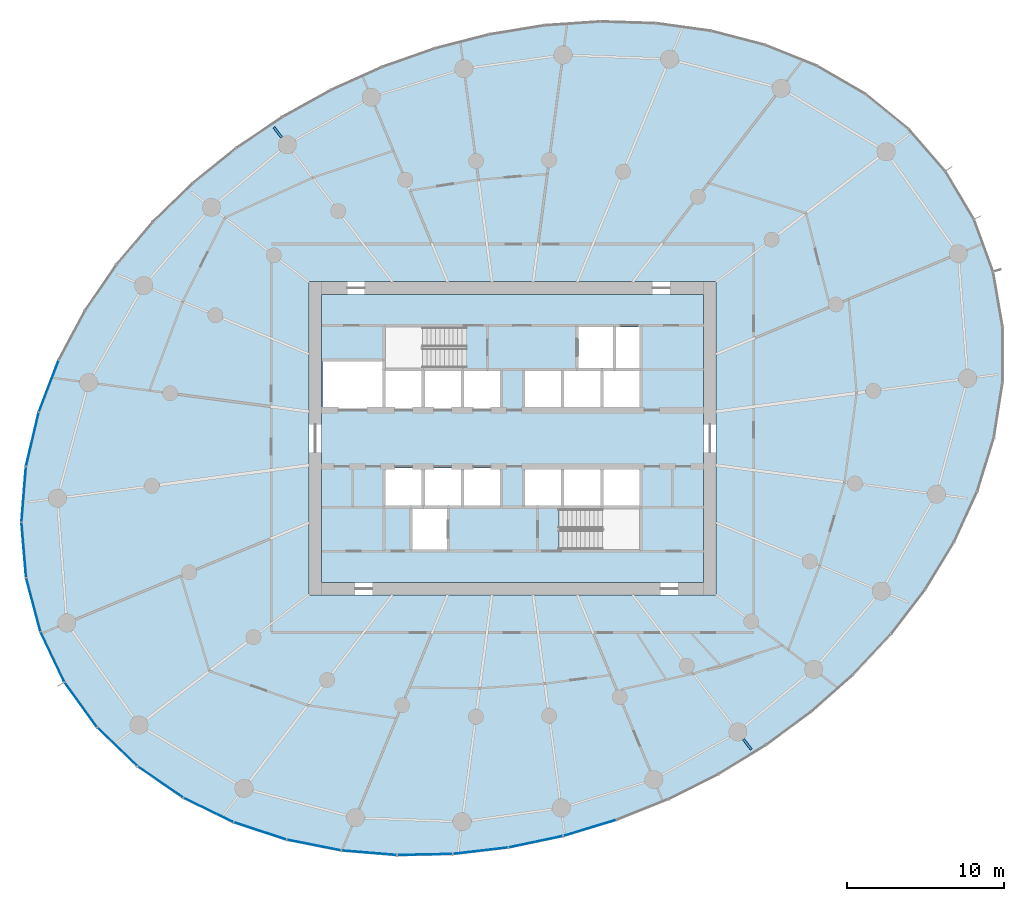
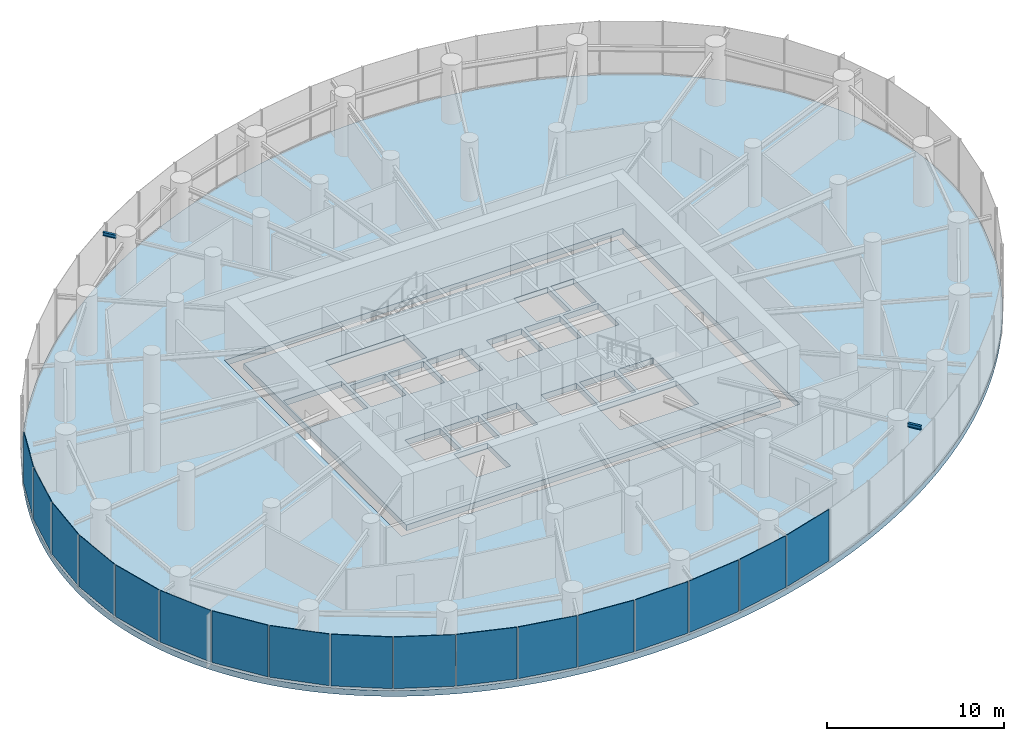
# One storey, part 8 of 17: 17 plates, 2 beams, 2 slabs, 4 elements without a shape of their own.
"""IFC4 building model written with IfcOpenShell, lengths in metres."""

from ifc_helpers import new_model, si_unit, direction, frame, origin, origin_2d, place, context, subcontext, project, spatial, line, indexed_curve, rectangle, i_section, outline, extrude, source, transform, mapped, material, layer, layer_set, material_profile, profile_set, type_object, element, aggregate, save


model = new_model("IFC4")

# Units and contexts
model_context = context("Model", 3, precision=1e-05, world=origin(), true_north=direction((0.0, 1.0)))
body_context = subcontext(model_context, "Body", "Model", "MODEL_VIEW")
ifc_project = project(units=[si_unit("LENGTHUNIT", "METRE"), si_unit("AREAUNIT", "SQUARE_METRE"), si_unit("VOLUMEUNIT", "CUBIC_METRE"), si_unit("PLANEANGLEUNIT", "RADIAN"), si_unit("MASSUNIT", "GRAM", prefix="KILO")], contexts=[model_context])

# Site, building, storey
site_placement = place(None, origin())
site = spatial("IfcSite", under=ifc_project, at=site_placement, CompositionType="ELEMENT")
building_placement = place(site_placement, origin())
building = spatial("IfcBuilding", under=site, at=building_placement, Name="Spindrift Exchange Tower", CompositionType="ELEMENT")
storey_placement = place(building_placement, frame((0.0, 0.0, 96.199951171875)))
storey = spatial("IfcBuildingStorey", under=building, at=storey_placement, Name="L22", CompositionType="ELEMENT", Elevation=96.199951171875)

# Beams
ifc_material_1 = material(Name="Steel Grade 300", Category="steel")
ifc_material_profile = material_profile(ifc_material_1, i_section(OverallWidth=0.14599609375, OverallDepth=0.251953125, WebThickness=0.006103515625, FlangeThickness=0.008544921875, FilletRadius=0.011962890625, at=origin_2d()), Name="250UB31.4")
ifc_profile_set = profile_set([ifc_material_profile], Name="Steel Grade 300")
beam_type = type_object("IfcBeamType", Name="Cantilever Beam 250UB31.4 Steel Grade 300", PredefinedType="BEAM", material=ifc_profile_set)
shared_shape_1 = source(origin(), body_context, "Body", "SweptSolid", [
    extrude(i_section(OverallWidth=0.14599609375, OverallDepth=0.251953125, WebThickness=0.006103515625, FlangeThickness=0.008544921875, FilletRadius=0.011962890625, at=origin_2d()), origin(), (0.0, 0.0, 1.0), 0.82177734375),
])
for number, where, z_axis, x_axis, name in (
    (1, (37.264892578125, 67.203125, 3.573974609375), (-0.608805739137, 0.793319337968, 0.0), (-0.793319337968, -0.608805739137, 0.0), "L22 cantilever beam R09T"),
    (2, (66.735107421875, 28.796875, 3.573974609375), (0.608805739137, -0.793319337968, 0.0), (0.793319337968, 0.608805739137, 0.0), "L22 cantilever beam R21T"),
):
    element("IfcBeam", number, at=place(storey_placement, frame(where, z_axis=z_axis, x_axis=x_axis)), inside=storey, type_object=beam_type, Name=name, PredefinedType="BEAM", context=body_context, shape_type="MappedRepresentation", body=[
        mapped(shared_shape_1, transform((0.0, 0.0, 0.0), scale=1.0)),
    ])

# Slabs
ifc_material_2 = material(Name="Concrete 50 MPa", Category="concrete")
ifc_layer_1 = layer(ifc_material_2, 0.39990234375)
ifc_layer_set_1 = layer_set([ifc_layer_1], Name="RC Floor Slab 400 Concrete 50 MPa")
slab_type_1 = type_object("IfcSlabType", Name="RC Floor Slab 400 Concrete 50 MPa", PredefinedType="FLOOR", material=ifc_layer_set_1)
slab_1_placement = place(storey_placement, frame((0.0, 0.0, -0.39990234375)))
element("IfcSlab", 3, at=slab_1_placement, inside=storey, type_object=slab_type_1, Name="Floor slab L22", PredefinedType="FLOOR", context=body_context, shape_type="SweptSolid", body=[
    extrude(outline(indexed_curve([(81.444091796875, 61.9873046875), (81.22119140625, 62.44091796875), (80.986572265625, 62.888427734375), (80.740478515625, 63.329833984375), (80.482666015625, 63.7646484375), (80.213623046875, 64.192626953125), (79.933837890625, 64.61328125), (79.64306640625, 65.02685546875), (79.341796875, 65.4326171875), (79.030517578125, 65.830810546875), (78.708984375, 66.220703125), (78.377685546875, 66.6025390625), (78.037109375, 66.97607421875), (77.6875, 67.3408203125), (77.328857421875, 67.697021484375), (76.961669921875, 68.04443359375), (76.58642578125, 68.3828125), (76.203125, 68.71240234375), (75.812255859375, 69.03271484375), (75.4140625, 69.343994140625), (75.0087890625, 69.64599609375), (74.5966796875, 69.938720703125), (74.178466796875, 70.222412109375), (73.75390625, 70.49658203125), (73.323486328125, 70.761474609375), (72.88720703125, 71.01708984375), (72.446044921875, 71.263427734375), (71.999755859375, 71.50048828125), (71.548583984375, 71.728515625), (71.093017578125, 71.947021484375), (70.6328125, 72.156494140625), (69.701171875, 72.54833984375), (69.229736328125, 72.730712890625), (68.277099609375, 73.06884765625), (67.31298828125, 73.371826171875), (66.826904296875, 73.510498046875), (66.33837890625, 73.640380859375), (65.35498046875, 73.874755859375), (64.860595703125, 73.9794921875), (63.866943359375, 74.164306640625), (63.367919921875, 74.244384765625), (62.3662109375, 74.381103515625), (61.864013671875, 74.4375), (60.857177734375, 74.52734375), (60.352783203125, 74.560791015625), (59.343017578125, 74.605224609375), (58.332275390625, 74.6201171875), (57.826904296875, 74.61669921875), (57.321533203125, 74.606201171875), (56.311767578125, 74.564208984375), (55.80712890625, 74.53271484375), (54.7998046875, 74.448974609375), (54.297119140625, 74.397216796875), (53.2939453125, 74.273193359375), (52.294189453125, 74.123291015625), (51.7958984375, 74.038818359375), (51.298828125, 73.94775390625), (50.30810546875, 73.74658203125), (49.32275390625, 73.520751953125), (48.83251953125, 73.398681640625), (48.343505859375, 73.2705078125), (47.37060546875, 72.99609375), (46.88671875, 72.85009765625), (45.924560546875, 72.540283203125), (44.97021484375, 72.207275390625), (44.49609375, 72.0322265625), (43.55419921875, 71.664794921875), (42.62158203125, 71.275390625), (42.15869140625, 71.072021484375), (41.240478515625, 70.6494140625), (40.332763671875, 70.20458984375), (39.435791015625, 69.738525390625), (38.55029296875, 69.251220703125), (38.112060546875, 68.99951171875), (37.244384765625, 68.48046875), (36.815673828125, 68.213134765625), (35.967529296875, 67.6630859375), (35.548583984375, 67.380126953125), (35.13330078125, 67.09228515625), (34.31298828125, 66.50146484375), (33.90869140625, 66.198486328125), (33.111083984375, 65.577392578125), (32.329345703125, 64.936279296875), (31.944580078125, 64.6083984375), (31.188232421875, 63.93798828125), (30.81640625, 63.595703125), (30.44921875, 63.248291015625), (29.72900390625, 62.539306640625), (29.027587890625, 61.81103515625), (28.6845703125, 61.43994140625), (28.013916015625, 60.683837890625), (27.6865234375, 60.298583984375), (27.364501953125, 59.9091796875), (26.737548828125, 59.1162109375), (26.134033203125, 58.305419921875), (25.84130859375, 57.893310546875), (25.27490234375, 57.05615234375), (25.00146484375, 56.631103515625), (24.734619140625, 56.201904296875), (24.221435546875, 55.330810546875), (23.73681640625, 54.44384765625), (23.505615234375, 53.994384765625), (23.066162109375, 53.083984375), (22.8583984375, 52.623291015625), (22.46728515625, 51.69140625), (22.2841796875, 51.22021484375), (21.944580078125, 50.268310546875), (21.7880859375, 49.78759765625), (21.503173828125, 48.81787109375), (21.375, 48.328857421875), (21.256591796875, 47.83740234375), (21.148193359375, 47.34375), (21.050048828125, 46.847900390625), (20.962158203125, 46.350341796875), (20.885009765625, 45.850830078125), (20.818359375, 45.349853515625), (20.7626953125, 44.847412109375), (20.718017578125, 44.343994140625), (20.684814453125, 43.839599609375), (20.662841796875, 43.334716796875), (20.652587890625, 42.829345703125), (20.65380859375, 42.323974609375), (20.667236328125, 41.81884765625), (20.6923828125, 41.31396484375), (20.729736328125, 40.81005859375), (20.779296875, 40.306884765625), (20.84130859375, 39.805419921875), (20.91552734375, 39.305419921875), (21.002197265625, 38.8076171875), (21.1015625, 38.31201171875), (21.213134765625, 37.819091796875), (21.33740234375, 37.3291015625), (21.474365234375, 36.842529296875), (21.623779296875, 36.359619140625), (21.785400390625, 35.880859375), (21.959716796875, 35.406494140625), (22.146240234375, 34.936767578125), (22.34521484375, 34.47216796875), (22.555908203125, 34.0126953125), (22.77880859375, 33.55908203125), (23.013427734375, 33.111572265625), (23.259521484375, 32.670166015625), (23.517333984375, 32.2353515625), (23.786376953125, 31.807373046875), (24.066162109375, 31.38671875), (24.35693359375, 30.97314453125), (24.658203125, 30.5673828125), (24.969482421875, 30.169189453125), (25.291015625, 29.779296875), (25.622314453125, 29.3974609375), (25.962890625, 29.02392578125), (26.3125, 28.6591796875), (26.671142578125, 28.302978515625), (27.038330078125, 27.95556640625), (27.41357421875, 27.6171875), (27.796875, 27.28759765625), (28.187744140625, 26.96728515625), (28.5859375, 26.656005859375), (28.9912109375, 26.35400390625), (29.4033203125, 26.061279296875), (29.821533203125, 25.777587890625), (30.24609375, 25.50341796875), (30.676513671875, 25.238525390625), (31.11279296875, 24.98291015625), (31.553955078125, 24.736572265625), (32.000244140625, 24.49951171875), (32.451416015625, 24.271484375), (32.906982421875, 24.052978515625), (33.3671875, 23.843505859375), (34.298828125, 23.45166015625), (34.770263671875, 23.269287109375), (35.722900390625, 22.93115234375), (36.68701171875, 22.628173828125), (37.173095703125, 22.489501953125), (37.66162109375, 22.359619140625), (38.64501953125, 22.125244140625), (39.139404296875, 22.0205078125), (40.133056640625, 21.835693359375), (40.632080078125, 21.755615234375), (41.6337890625, 21.618896484375), (42.135986328125, 21.5625), (43.142822265625, 21.47265625), (43.647216796875, 21.439208984375), (44.656982421875, 21.394775390625), (45.667724609375, 21.3798828125), (46.173095703125, 21.38330078125), (46.678466796875, 21.393798828125), (47.688232421875, 21.435791015625), (48.19287109375, 21.46728515625), (49.2001953125, 21.551025390625), (49.702880859375, 21.602783203125), (50.7060546875, 21.726806640625), (51.705810546875, 21.876708984375), (52.2041015625, 21.961181640625), (52.701171875, 22.05224609375), (53.69189453125, 22.25341796875), (54.67724609375, 22.479248046875), (55.16748046875, 22.601318359375), (55.656494140625, 22.7294921875), (56.62939453125, 23.00390625), (57.11328125, 23.14990234375), (58.075439453125, 23.459716796875), (59.02978515625, 23.792724609375), (59.50390625, 23.9677734375), (60.44580078125, 24.335205078125), (61.37841796875, 24.724609375), (61.84130859375, 24.927978515625), (62.759521484375, 25.3505859375), (63.667236328125, 25.79541015625), (64.564208984375, 26.261474609375), (65.44970703125, 26.748779296875), (65.887939453125, 27.00048828125), (66.755615234375, 27.51953125), (67.184326171875, 27.786865234375), (68.032470703125, 28.3369140625), (68.451416015625, 28.619873046875), (68.86669921875, 28.90771484375), (69.68701171875, 29.49853515625), (70.09130859375, 29.801513671875), (70.888916015625, 30.422607421875), (71.670654296875, 31.063720703125), (72.055419921875, 31.3916015625), (72.811767578125, 32.06201171875), (73.18359375, 32.404296875), (73.55078125, 32.751708984375), (74.27099609375, 33.460693359375), (74.972412109375, 34.18896484375), (75.3154296875, 34.56005859375), (75.986083984375, 35.316162109375), (76.3134765625, 35.701416015625), (76.635498046875, 36.0908203125), (77.262451171875, 36.8837890625), (77.865966796875, 37.694580078125), (78.15869140625, 38.106689453125), (78.72509765625, 38.94384765625), (78.99853515625, 39.368896484375), (79.265380859375, 39.798095703125), (79.778564453125, 40.669189453125), (80.26318359375, 41.55615234375), (80.494384765625, 42.005615234375), (80.933837890625, 42.916015625), (81.1416015625, 43.376708984375), (81.53271484375, 44.30859375), (81.7158203125, 44.77978515625), (82.055419921875, 45.731689453125), (82.2119140625, 46.21240234375), (82.496826171875, 47.18212890625), (82.625, 47.671142578125), (82.743408203125, 48.16259765625), (82.851806640625, 48.65625), (82.949951171875, 49.152099609375), (83.037841796875, 49.649658203125), (83.114990234375, 50.149169921875), (83.181640625, 50.650146484375), (83.2373046875, 51.152587890625), (83.281982421875, 51.656005859375), (83.315185546875, 52.160400390625), (83.337158203125, 52.665283203125), (83.347412109375, 53.170654296875), (83.34619140625, 53.676025390625), (83.332763671875, 54.18115234375), (83.3076171875, 54.68603515625), (83.270263671875, 55.18994140625), (83.220703125, 55.693115234375), (83.15869140625, 56.194580078125), (83.08447265625, 56.694580078125), (82.997802734375, 57.1923828125), (82.8984375, 57.68798828125), (82.786865234375, 58.180908203125), (82.66259765625, 58.6708984375), (82.525634765625, 59.157470703125), (82.376220703125, 59.640380859375), (82.214599609375, 60.119140625), (82.040283203125, 60.593505859375), (81.853759765625, 61.063232421875), (81.65478515625, 61.52783203125)], segments=[line(1, 2, 3, 4, 5, 6, 7, 8, 9, 10, 11, 12, 13, 14, 15, 16, 17, 18, 19, 20, 21, 22, 23, 24, 25, 26, 27, 28, 29, 30, 31, 32, 33, 34, 35, 36, 37, 38, 39, 40, 41, 42, 43, 44, 45, 46, 47, 48, 49, 50, 51, 52, 53, 54, 55, 56, 57, 58, 59, 60, 61, 62, 63, 64, 65, 66, 67, 68, 69, 70, 71, 72, 73, 74, 75, 76, 77, 78, 79, 80, 81, 82, 83, 84, 85, 86, 87, 88, 89, 90, 91, 92, 93, 94, 95, 96, 97, 98, 99, 100, 101, 102, 103, 104, 105, 106, 107, 108, 109, 110, 111, 112, 113, 114, 115, 116, 117, 118, 119, 120, 121, 122, 123, 124, 125, 126, 127, 128, 129, 130, 131, 132, 133, 134, 135, 136, 137, 138, 139, 140, 141, 142, 143, 144, 145, 146, 147, 148, 149, 150, 151, 152, 153, 154, 155, 156, 157, 158, 159, 160, 161, 162, 163, 164, 165, 166, 167, 168, 169, 170, 171, 172, 173, 174, 175, 176, 177, 178, 179, 180, 181, 182, 183, 184, 185, 186, 187, 188, 189, 190, 191, 192, 193, 194, 195, 196, 197, 198, 199, 200, 201, 202, 203, 204, 205, 206, 207, 208, 209, 210, 211, 212, 213, 214, 215, 216, 217, 218, 219, 220, 221, 222, 223, 224, 225, 226, 227, 228, 229, 230, 231, 232, 233, 234, 235, 236, 237, 238, 239, 240, 241, 242, 243, 244, 245, 246, 247, 248, 249, 250, 251, 252, 253, 254, 255, 256, 257, 258, 259, 260, 261, 262, 263, 264, 265, 266, 267, 268, 269, 270, 271, 272, 273, 274, 275, 276, 1)], self_intersect=False), holes=[indexed_curve([(39.0, 38.0), (65.0, 38.0), (65.0, 58.0), (39.0, 58.0)], segments=[line(1, 2, 3, 4, 1)], self_intersect=False)]), origin(), (0.0, 0.0, 1.0), 0.39990234375),
])
ifc_layer_2 = layer(ifc_material_2, 0.39990234375)
ifc_layer_set_2 = layer_set([ifc_layer_2], Name="SL-CORE-FLOOR-400")
slab_type_2 = type_object("IfcSlabType", Name="SL-CORE-FLOOR-400", PredefinedType="FLOOR", material=ifc_layer_set_2)
slab_2_placement = place(storey_placement, frame((0.0, 0.0, -0.39990234375)))
element("IfcSlab", 4, at=slab_2_placement, inside=storey, type_object=slab_type_2, Name="L22 Core floor slab", PredefinedType="FLOOR", context=body_context, shape_type="SweptSolid", body=[
    extrude(outline(indexed_curve([(39.800048828125, 38.800048828125), (39.800048828125, 57.199951171875), (64.199951171875, 57.199951171875), (64.199951171875, 38.800048828125)], segments=[line(1, 2, 3, 4, 1)], self_intersect=False), holes=[indexed_curve([(47.800048828125, 43.5), (45.60009765625, 43.5), (45.60009765625, 40.89990234375), (47.800048828125, 40.89990234375)], segments=[line(1, 2, 3, 4, 1)], self_intersect=False), indexed_curve([(46.199951171875, 46.10009765625), (43.89990234375, 46.10009765625), (43.89990234375, 43.699951171875), (46.199951171875, 43.699951171875)], segments=[line(1, 2, 3, 4, 1)], self_intersect=False), indexed_curve([(48.699951171875, 46.10009765625), (46.39990234375, 46.10009765625), (46.39990234375, 43.699951171875), (48.699951171875, 43.699951171875)], segments=[line(1, 2, 3, 4, 1)], self_intersect=False), indexed_curve([(51.199951171875, 46.10009765625), (48.89990234375, 46.10009765625), (48.89990234375, 43.699951171875), (51.199951171875, 43.699951171875)], segments=[line(1, 2, 3, 4, 1)], self_intersect=False), indexed_curve([(46.199951171875, 52.300048828125), (43.89990234375, 52.300048828125), (43.89990234375, 49.89990234375), (46.199951171875, 49.89990234375)], segments=[line(1, 2, 3, 4, 1)], self_intersect=False), indexed_curve([(48.699951171875, 52.300048828125), (46.39990234375, 52.300048828125), (46.39990234375, 49.89990234375), (48.699951171875, 49.89990234375)], segments=[line(1, 2, 3, 4, 1)], self_intersect=False), indexed_curve([(51.199951171875, 52.300048828125), (48.89990234375, 52.300048828125), (48.89990234375, 49.89990234375), (51.199951171875, 49.89990234375)], segments=[line(1, 2, 3, 4, 1)], self_intersect=False), indexed_curve([(43.699951171875, 49.89990234375), (43.699951171875, 52.89990234375), (39.89990234375, 52.89990234375), (39.89990234375, 49.89990234375)], segments=[line(1, 2, 3, 4, 1)], self_intersect=False), indexed_curve([(49.0439453125, 55.093994140625), (43.906005859375, 55.093994140625), (43.906005859375, 52.506103515625), (49.0439453125, 52.506103515625)], segments=[line(1, 2, 3, 4, 1)], self_intersect=False), indexed_curve([(60.093994140625, 40.906005859375), (60.093994140625, 43.493896484375), (54.9560546875, 43.493896484375), (54.9560546875, 40.906005859375)], segments=[line(1, 2, 3, 4, 1)], self_intersect=False), indexed_curve([(55.10009765625, 46.10009765625), (52.800048828125, 46.10009765625), (52.800048828125, 43.699951171875), (55.10009765625, 43.699951171875)], segments=[line(1, 2, 3, 4, 1)], self_intersect=False), indexed_curve([(57.60009765625, 46.10009765625), (55.300048828125, 46.10009765625), (55.300048828125, 43.699951171875), (57.60009765625, 43.699951171875)], segments=[line(1, 2, 3, 4, 1)], self_intersect=False), indexed_curve([(60.10009765625, 46.10009765625), (57.800048828125, 46.10009765625), (57.800048828125, 43.699951171875), (60.10009765625, 43.699951171875)], segments=[line(1, 2, 3, 4, 1)], self_intersect=False), indexed_curve([(55.10009765625, 52.300048828125), (52.800048828125, 52.300048828125), (52.800048828125, 49.89990234375), (55.10009765625, 49.89990234375)], segments=[line(1, 2, 3, 4, 1)], self_intersect=False), indexed_curve([(57.60009765625, 52.300048828125), (55.300048828125, 52.300048828125), (55.300048828125, 49.89990234375), (57.60009765625, 49.89990234375)], segments=[line(1, 2, 3, 4, 1)], self_intersect=False), indexed_curve([(60.10009765625, 52.300048828125), (57.800048828125, 52.300048828125), (57.800048828125, 49.89990234375), (60.10009765625, 49.89990234375)], segments=[line(1, 2, 3, 4, 1)], self_intersect=False), indexed_curve([(58.39990234375, 52.5), (58.39990234375, 55.10009765625), (56.199951171875, 55.10009765625), (56.199951171875, 52.5)], segments=[line(1, 2, 3, 4, 1)], self_intersect=False), indexed_curve([(60.10009765625, 52.5), (60.10009765625, 55.10009765625), (58.60009765625, 55.10009765625), (58.60009765625, 52.5)], segments=[line(1, 2, 3, 4, 1)], self_intersect=False)]), origin(), (0.0, 0.0, 1.0), 0.39990234375),
])

# Curtain wall, plate
ifc_material_3 = material(Name="Fritted laminated glass with bronze frame", Category="glass")
ifc_layer_3 = layer(ifc_material_3, 0.18994140625)
ifc_layer_set_3 = layer_set([ifc_layer_3], Name="ZONE 2 BRONZE FRITTED WALL")
curtain_wall_type = type_object("IfcCurtainWallType", Name="ZONE 2 BRONZE FRITTED WALL", PredefinedType="NOTDEFINED", material=ifc_layer_set_3)
curtain_wall_1_placement = place(storey_placement, origin())
curtain_wall_1 = element("IfcCurtainWall", 5, at=curtain_wall_1_placement, inside=storey, type_object=curtain_wall_type, Name="L22 Zone 2 Bronze Fritted Wall run 6", PredefinedType="NOTDEFINED")
ifc_material_4 = material(Name="Bronze fritted laminated glass, close frit", Category="glass")
ifc_layer_4 = layer(ifc_material_4, 0.033935546875)
ifc_layer_set_4 = layer_set([ifc_layer_4], Name="ZONE 2 BRONZE FRITTED WALL PANEL CLOSE FRIT 300")
plate_type_1 = type_object("IfcPlateType", Name="ZONE 2 BRONZE FRITTED WALL PANEL CLOSE FRIT 300", PredefinedType="CURTAIN_PANEL", material=ifc_layer_set_4)
shared_shape_2 = source(origin(), body_context, "Body", "SweptSolid", [
    extrude(rectangle(XDim=3.491455078125, YDim=0.033935546875, at=origin_2d()), origin(), (0.0, 0.0, 1.0), 3.56005859375),
])
plate_1_placement = place(storey_placement, frame((49.9638671875, 21.67431640625, 0.14013671875), z_axis=(0.0, 0.0, 1.0), x_axis=(0.993239505875, 0.116083090794, 0.0)))
plate_1 = element("IfcPlate", 6, at=plate_1_placement, type_object=plate_type_1, Name="L22 panel CW-2.35", PredefinedType="CURTAIN_PANEL", context=body_context, shape_type="MappedRepresentation", body=[
    mapped(shared_shape_2, transform((0.0, 0.0, 0.0), scale=1.0)),
])

curtain_wall_2_placement = place(storey_placement, origin())
curtain_wall_2 = element("IfcCurtainWall", 7, at=curtain_wall_2_placement, inside=storey, type_object=curtain_wall_type, Name="L22 Zone 2 Bronze Fritted Wall run 7", PredefinedType="NOTDEFINED")
shared_shape_3 = source(origin(), body_context, "Body", "SweptSolid", [
    extrude(rectangle(XDim=3.49169921875, YDim=0.033935546875, at=origin_2d()), origin(), (0.0, 0.0, 1.0), 3.56005859375),
])
plate_2_placement = place(storey_placement, frame((56.931396484375, 23.134521484375, 0.14013671875), z_axis=(0.0, 0.0, 1.0), x_axis=(0.956815613518, 0.290695513772, 0.0)))
plate_2 = element("IfcPlate", 8, at=plate_2_placement, type_object=plate_type_1, Name="L22 panel CW-2.37", PredefinedType="CURTAIN_PANEL", context=body_context, shape_type="MappedRepresentation", body=[
    mapped(shared_shape_3, transform((0.0, 0.0, 0.0), scale=1.0)),
])
aggregate(curtain_wall_2, [plate_2])

# Plate
ifc_layer_5 = layer(ifc_material_4, 0.033935546875)
ifc_layer_set_5 = layer_set([ifc_layer_5], Name="ZONE 2 BRONZE FRITTED WALL PANEL CLOSE FRIT 540")
plate_type_2 = type_object("IfcPlateType", Name="ZONE 2 BRONZE FRITTED WALL PANEL CLOSE FRIT 540", PredefinedType="CURTAIN_PANEL", material=ifc_layer_set_5)
shared_shape_4 = source(origin(), body_context, "Body", "SweptSolid", [
    extrude(rectangle(XDim=3.49169921875, YDim=0.033935546875, at=origin_2d()), origin(), (0.0, 0.0, 1.0), 3.56005859375),
])
plate_3_placement = place(storey_placement, frame((53.480224609375, 22.248779296875, 0.14013671875), z_axis=(0.0, 0.0, 1.0), x_axis=(0.978558622118, 0.205968500209, 0.0)))
plate_3 = element("IfcPlate", 9, at=plate_3_placement, type_object=plate_type_2, Name="L22 panel CW-2.36", PredefinedType="CURTAIN_PANEL", context=body_context, shape_type="MappedRepresentation", body=[
    mapped(shared_shape_4, transform((0.0, 0.0, 0.0), scale=1.0)),
])

ifc_layer_6 = layer(ifc_material_4, 0.033935546875)
ifc_layer_set_6 = layer_set([ifc_layer_6], Name="ZONE 2 BRONZE FRITTED WALL PANEL CLOSE FRIT 420")
plate_type_3 = type_object("IfcPlateType", Name="ZONE 2 BRONZE FRITTED WALL PANEL CLOSE FRIT 420", PredefinedType="CURTAIN_PANEL", material=ifc_layer_set_6)
shared_shape_5 = source(origin(), body_context, "Body", "SweptSolid", [
    extrude(rectangle(XDim=3.49072265625, YDim=0.033935546875, at=origin_2d()), origin(), (0.0, 0.0, 1.0), 3.56005859375),
])
plate_4_placement = place(storey_placement, frame((39.324462890625, 22.03662109375, 0.14013671875), z_axis=(0.0, 0.0, 1.0), x_axis=(0.981065173472, -0.193677890841, 0.0)))
plate_4 = element("IfcPlate", 10, at=plate_4_placement, type_object=plate_type_3, Name="L22 panel CW-2.32", PredefinedType="CURTAIN_PANEL", context=body_context, shape_type="MappedRepresentation", body=[
    mapped(shared_shape_5, transform((0.0, 0.0, 0.0), scale=1.0)),
])

shared_shape_6 = source(origin(), body_context, "Body", "SweptSolid", [
    extrude(rectangle(XDim=3.490234375, YDim=0.033935546875, at=origin_2d()), origin(), (0.0, 0.0, 1.0), 3.56005859375),
])
plate_5_placement = place(storey_placement, frame((35.8818359375, 22.93896484375, 0.14013671875), z_axis=(0.0, 0.0, 1.0), x_axis=(0.949949153627, -0.312404554261, 0.0)))
plate_5 = element("IfcPlate", 11, at=plate_5_placement, type_object=plate_type_1, Name="L22 panel CW-2.31", PredefinedType="CURTAIN_PANEL", context=body_context, shape_type="MappedRepresentation", body=[
    mapped(shared_shape_6, transform((0.0, 0.0, 0.0), scale=1.0)),
])

# Curtain wall, plate
curtain_wall_3_placement = place(storey_placement, origin())
curtain_wall_3 = element("IfcCurtainWall", 12, at=curtain_wall_3_placement, inside=storey, type_object=curtain_wall_type, Name="L22 Zone 2 Bronze Fritted Wall run 4", PredefinedType="NOTDEFINED")
shared_shape_7 = source(origin(), body_context, "Body", "SweptSolid", [
    extrude(rectangle(XDim=3.489013671875, YDim=0.033935546875, at=origin_2d()), origin(), (0.0, 0.0, 1.0), 3.56005859375),
])
plate_6_placement = place(storey_placement, frame((20.795166015625, 44.427490234375, 0.14013671875), z_axis=(0.0, 0.0, 1.0), x_axis=(-0.080442480959, -0.996759252406, 0.0)))
plate_6 = element("IfcPlate", 13, at=plate_6_placement, type_object=plate_type_1, Name="L22 panel CW-2.23", PredefinedType="CURTAIN_PANEL", context=body_context, shape_type="MappedRepresentation", body=[
    mapped(shared_shape_7, transform((0.0, 0.0, 0.0), scale=1.0)),
])

# Curtain wall, plates
curtain_wall_4_placement = place(storey_placement, origin())
curtain_wall_4 = element("IfcCurtainWall", 14, at=curtain_wall_4_placement, inside=storey, type_object=curtain_wall_type, Name="L22 Zone 2 Bronze Fritted Wall run 5", PredefinedType="NOTDEFINED")
shared_shape_8 = source(origin(), body_context, "Body", "SweptSolid", [
    extrude(rectangle(XDim=3.48779296875, YDim=0.033935546875, at=origin_2d()), origin(), (0.0, 0.0, 1.0), 3.56005859375),
])
plate_7_placement = place(storey_placement, frame((21.40771484375, 37.378662109375, 0.14013671875), z_axis=(0.0, 0.0, 1.0), x_axis=(0.257181705514, -0.966363063423, 0.0)))
plate_7 = element("IfcPlate", 15, at=plate_7_placement, type_object=plate_type_1, Name="L22 panel CW-2.25", PredefinedType="CURTAIN_PANEL", context=body_context, shape_type="MappedRepresentation", body=[
    mapped(shared_shape_8, transform((0.0, 0.0, 0.0), scale=1.0)),
])
plate_8_placement = place(storey_placement, frame((24.439697265625, 30.996337890625, 0.14013671875), z_axis=(0.0, 0.0, 1.0), x_axis=(0.586601367172, -0.809875815191, 0.0)))
plate_8 = element("IfcPlate", 16, at=plate_8_placement, type_object=plate_type_1, Name="L22 panel CW-2.27", PredefinedType="CURTAIN_PANEL", context=body_context, shape_type="MappedRepresentation", body=[
    mapped(shared_shape_8, transform((0.0, 0.0, 0.0), scale=1.0)),
])

# Plate
shared_shape_9 = source(origin(), body_context, "Body", "SweptSolid", [
    extrude(rectangle(XDim=3.4912109375, YDim=0.033935546875, at=origin_2d()), origin(), (0.0, 0.0, 1.0), 3.56005859375),
])
plate_9_placement = place(storey_placement, frame((46.409912109375, 21.431640625, 0.14013671875), z_axis=(0.0, 0.0, 1.0), x_axis=(0.999797877311, 0.020104838325, 0.0)))
plate_9 = element("IfcPlate", 17, at=plate_9_placement, type_object=plate_type_3, Name="L22 panel CW-2.34", PredefinedType="CURTAIN_PANEL", context=body_context, shape_type="MappedRepresentation", body=[
    mapped(shared_shape_9, transform((0.0, 0.0, 0.0), scale=1.0)),
])

shared_shape_10 = source(origin(), body_context, "Body", "SweptSolid", [
    extrude(rectangle(XDim=3.489013671875, YDim=0.033935546875, at=origin_2d()), origin(), (0.0, 0.0, 1.0), 3.56005859375),
])
plate_10_placement = place(storey_placement, frame((29.516357421875, 26.068115234375, 0.14013671875), z_axis=(0.0, 0.0, 1.0), x_axis=(0.823480120337, -0.567345125483, 0.0)))
plate_10 = element("IfcPlate", 18, at=plate_10_placement, type_object=plate_type_2, Name="L22 panel CW-2.29", PredefinedType="CURTAIN_PANEL", context=body_context, shape_type="MappedRepresentation", body=[
    mapped(shared_shape_10, transform((0.0, 0.0, 0.0), scale=1.0)),
])

shared_shape_11 = source(origin(), body_context, "Body", "SweptSolid", [
    extrude(rectangle(XDim=3.490234375, YDim=0.033935546875, at=origin_2d()), origin(), (0.0, 0.0, 1.0), 3.56005859375),
])
plate_11_placement = place(storey_placement, frame((22.390869140625, 51.33837890625, 0.14013671875), z_axis=(0.0, 0.0, 1.0), x_axis=(-0.357989898164, -0.933725459015, 0.0)))
plate_11 = element("IfcPlate", 19, at=plate_11_placement, type_object=plate_type_3, Name="L22 panel CW-2.21", PredefinedType="CURTAIN_PANEL", context=body_context, shape_type="MappedRepresentation", body=[
    mapped(shared_shape_11, transform((0.0, 0.0, 0.0), scale=1.0)),
])

shared_shape_12 = source(origin(), body_context, "Body", "SweptSolid", [
    extrude(rectangle(XDim=3.48974609375, YDim=0.033935546875, at=origin_2d()), origin(), (0.0, 0.0, 1.0), 3.56005859375),
])
plate_12_placement = place(storey_placement, frame((21.345458984375, 47.93896484375, 0.14013671875), z_axis=(0.0, 0.0, 1.0), x_axis=(-0.228405244658, -0.973566147836, 0.0)))
plate_12 = element("IfcPlate", 20, at=plate_12_placement, type_object=plate_type_1, Name="L22 panel CW-2.22", PredefinedType="CURTAIN_PANEL", context=body_context, shape_type="MappedRepresentation", body=[
    mapped(shared_shape_12, transform((0.0, 0.0, 0.0), scale=1.0)),
])

plate_13_placement = place(storey_placement, frame((32.586181640625, 24.276611328125, 0.14013671875), z_axis=(0.0, 0.0, 1.0), x_axis=(0.898969182861, -0.438011881422, 0.0)))
plate_13 = element("IfcPlate", 21, at=plate_13_placement, type_object=plate_type_1, Name="L22 panel CW-2.30", PredefinedType="CURTAIN_PANEL", context=body_context, shape_type="MappedRepresentation", body=[
    mapped(shared_shape_12, transform((0.0, 0.0, 0.0), scale=1.0)),
])

shared_shape_13 = source(origin(), body_context, "Body", "SweptSolid", [
    extrude(rectangle(XDim=3.490966796875, YDim=0.033935546875, at=origin_2d()), origin(), (0.0, 0.0, 1.0), 3.56005859375),
])
plate_14_placement = place(storey_placement, frame((42.850341796875, 21.543701171875, 0.14013671875), z_axis=(0.0, 0.0, 1.0), x_axis=(0.996555957065, -0.082923003067, 0.0)))
plate_14 = element("IfcPlate", 22, at=plate_14_placement, type_object=plate_type_2, Name="L22 panel CW-2.33", PredefinedType="CURTAIN_PANEL", context=body_context, shape_type="MappedRepresentation", body=[
    mapped(shared_shape_13, transform((0.0, 0.0, 0.0), scale=1.0)),
])

aggregate(curtain_wall_1, [plate_5, plate_4, plate_14, plate_9, plate_1, plate_3])

shared_shape_14 = source(origin(), body_context, "Body", "SweptSolid", [
    extrude(rectangle(XDim=3.488525390625, YDim=0.033935546875, at=origin_2d()), origin(), (0.0, 0.0, 1.0), 3.56005859375),
])
plate_15_placement = place(storey_placement, frame((20.80078125, 40.87548828125, 0.14013671875), z_axis=(0.0, 0.0, 1.0), x_axis=(0.083625666974, -0.996497239245, 0.0)))
plate_15 = element("IfcPlate", 23, at=plate_15_placement, type_object=plate_type_2, Name="L22 panel CW-2.24", PredefinedType="CURTAIN_PANEL", context=body_context, shape_type="MappedRepresentation", body=[
    mapped(shared_shape_14, transform((0.0, 0.0, 0.0), scale=1.0)),
])

aggregate(curtain_wall_3, [plate_11, plate_12, plate_6, plate_15])

shared_shape_15 = source(origin(), body_context, "Body", "SweptSolid", [
    extrude(rectangle(XDim=3.487548828125, YDim=0.033935546875, at=origin_2d()), origin(), (0.0, 0.0, 1.0), 3.56005859375),
])
plate_16_placement = place(storey_placement, frame((22.63037109375, 34.048095703125, 0.14013671875), z_axis=(0.0, 0.0, 1.0), x_axis=(0.429091212133, -0.903261164708, 0.0)))
plate_16 = element("IfcPlate", 24, at=plate_16_placement, type_object=plate_type_1, Name="L22 panel CW-2.26", PredefinedType="CURTAIN_PANEL", context=body_context, shape_type="MappedRepresentation", body=[
    mapped(shared_shape_15, transform((0.0, 0.0, 0.0), scale=1.0)),
])

shared_shape_16 = source(origin(), body_context, "Body", "SweptSolid", [
    extrude(rectangle(XDim=3.48828125, YDim=0.033935546875, at=origin_2d()), origin(), (0.0, 0.0, 1.0), 3.56005859375),
])
plate_17_placement = place(storey_placement, frame((26.766845703125, 28.31640625, 0.14013671875), z_axis=(0.0, 0.0, 1.0), x_axis=(0.719608900817, -0.694379600698, 0.0)))
plate_17 = element("IfcPlate", 25, at=plate_17_placement, type_object=plate_type_3, Name="L22 panel CW-2.28", PredefinedType="CURTAIN_PANEL", context=body_context, shape_type="MappedRepresentation", body=[
    mapped(shared_shape_16, transform((0.0, 0.0, 0.0), scale=1.0)),
])

aggregate(curtain_wall_4, [plate_7, plate_16, plate_8, plate_17, plate_10, plate_13])

save(model, "model.ifc")
